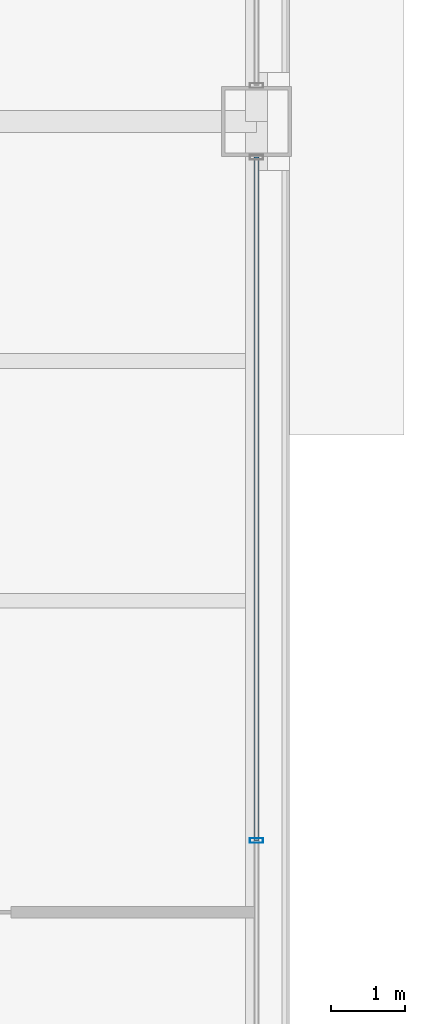
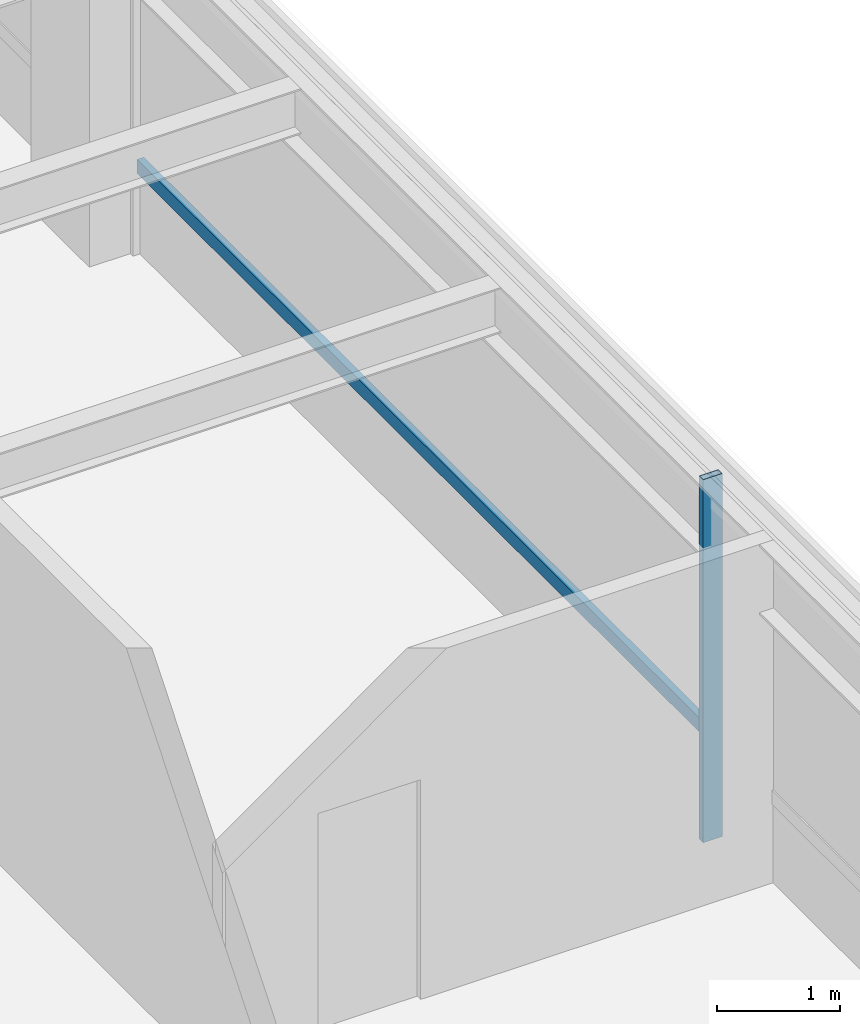
# One storey, part 14 of 28: 2 members, 1 element without a shape of its own.
"""IFC4 building model written with IfcOpenShell, lengths in metres."""

from ifc_helpers import new_model, si_unit, direction, frame, origin, origin_2d, place, context, subcontext, project, spatial, hollow_rectangle, extrude, material, layer, layer_set, material_profile, profile_set, type_object, element, aggregate, save


model = new_model("IFC4")

# Units and contexts
model_context = context("Model", 3, precision=1e-05, world=origin(), true_north=direction((0.0, 1.0)))
body_context = subcontext(model_context, "Body", "Model", "MODEL_VIEW")
ifc_project = project(units=[si_unit("LENGTHUNIT", "METRE"), si_unit("AREAUNIT", "SQUARE_METRE"), si_unit("VOLUMEUNIT", "CUBIC_METRE"), si_unit("PLANEANGLEUNIT", "RADIAN"), si_unit("MASSUNIT", "GRAM", prefix="KILO")], contexts=[model_context])

# Site, building, storey
site_placement = place(None, origin())
site = spatial("IfcSite", under=ifc_project, at=site_placement, CompositionType="ELEMENT")
building_placement = place(site_placement, origin())
building = spatial("IfcBuilding", under=site, at=building_placement, Name="Brelmoor Portico Tower", CompositionType="ELEMENT")
storey_placement = place(building_placement, frame((0.0, 0.0, 49.199951171875)))
storey = spatial("IfcBuildingStorey", under=building, at=storey_placement, Name="L12", CompositionType="ELEMENT", Elevation=49.199951171875)

# Curtain wall, members
ifc_material = material(Name="Anodised Aluminium Alloy 6063-T6", Category="aluminium")
ifc_layer = layer(ifc_material, 0.179931640625)
ifc_layer_set = layer_set([ifc_layer], Name="Anodised Aluminium Alloy 6063-T6")
curtain_wall_type = type_object("IfcCurtainWallType", Name="CW-TOWER-Z1", PredefinedType="NOTDEFINED", material=ifc_layer_set)
curtain_wall_placement = place(storey_placement, origin())
curtain_wall = element("IfcCurtainWall", 1, at=curtain_wall_placement, inside=storey, type_object=curtain_wall_type, Name="L12 Curtain Wall CW-L12-04-2", PredefinedType="NOTDEFINED")
ifc_material_profile_1 = material_profile(ifc_material, hollow_rectangle(XDim=0.06494140625, YDim=0.179931640625, WallThickness=0.00390625, at=origin_2d()), Name="ALU MULLION 65x180")
ifc_profile_set_1 = profile_set([ifc_material_profile_1], Name="Anodised Aluminium Alloy 6063-T6")
member_type_1 = type_object("IfcMemberType", Name="MB-CW-MULL-180", PredefinedType="MULLION", material=ifc_profile_set_1)
member_1_placement = place(storey_placement, frame((24.550048828125, 0.0, -0.199951171875), z_axis=(0.0, 0.0, 1.0), x_axis=(0.0, 1.0, 0.0)))
member_1 = element("IfcMember", 2, at=member_1_placement, type_object=member_type_1, Name="CW-L12-04-2 Mullion 01", PredefinedType="MULLION", context=body_context, shape_type="SweptSolid", body=[
    extrude(hollow_rectangle(XDim=0.06494140625, YDim=0.179931640625, WallThickness=0.00390625, at=origin_2d()), origin(), (0.0, 0.0, 1.0), 3.60009765625),
])
ifc_material_profile_2 = material_profile(ifc_material, hollow_rectangle(XDim=0.06494140625, YDim=0.139892578125, WallThickness=0.00390625, at=origin_2d()), Name="ALU TRANSOM 65x140")
ifc_profile_set_2 = profile_set([ifc_material_profile_2], Name="Anodised Aluminium Alloy 6063-T6")
member_type_2 = type_object("IfcMemberType", Name="MB-CW-TRAN-140", PredefinedType="USERDEFINED", material=ifc_profile_set_2)
member_2_placement = place(storey_placement, frame((24.550048828125, 0.0, 0.85009765625), z_axis=(0.0, 1.0, 0.0), x_axis=(-1.0, 0.0, 0.0)))
member_2 = element("IfcMember", 3, at=member_2_placement, type_object=member_type_2, Name="CW-L12-04-2 Transom 1-01", ObjectType="TRANSOM", PredefinedType="USERDEFINED", context=body_context, shape_type="SweptSolid", body=[
    extrude(hollow_rectangle(XDim=0.06494140625, YDim=0.139892578125, WallThickness=0.00390625, at=origin_2d()), origin(), (0.0, 0.0, 1.0), 9.264892578125),
])
aggregate(curtain_wall, [member_1, member_2])

save(model, "model.ifc")
